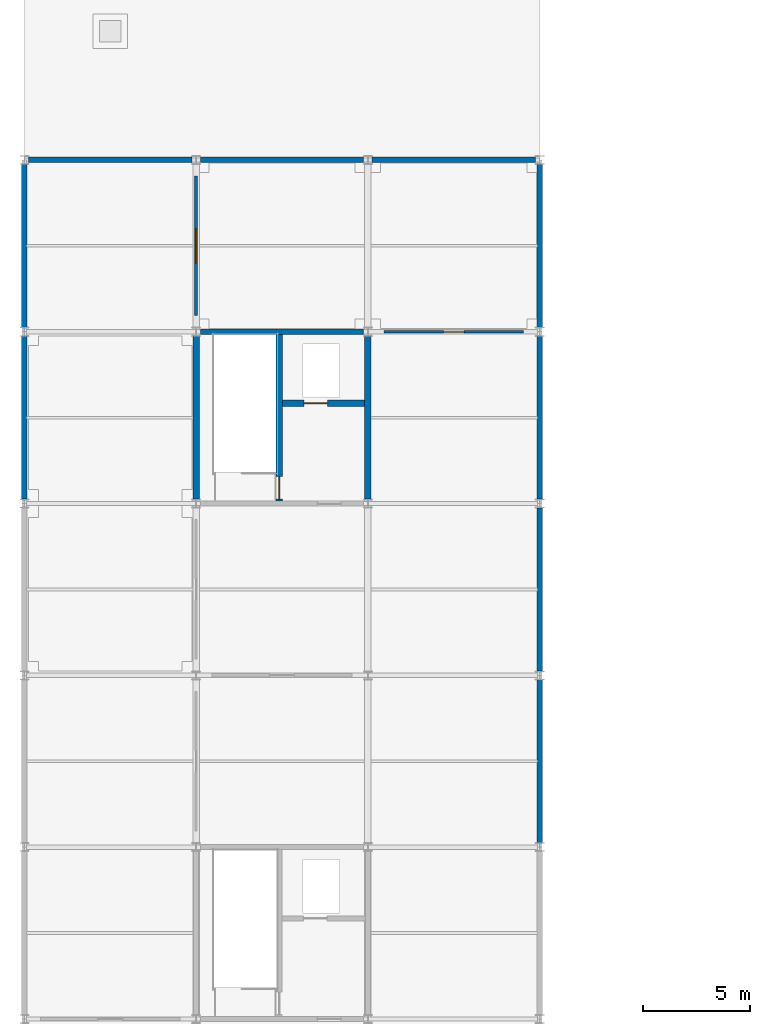
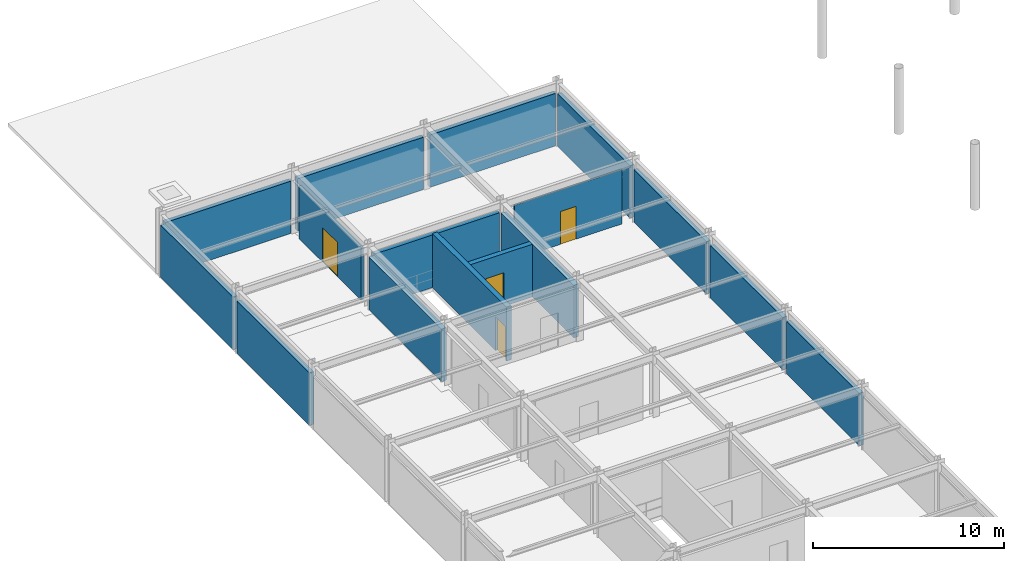
# One storey, part 35 of 41: 16 walls, 4 doors, 4 openings.
"""IFC4 building model written with IfcOpenShell, lengths in metres."""

from ifc_helpers import new_model, si_unit, direction, frame, frame_2d, origin, place, context, subcontext, project, spatial, rectangle, extrude, material, layer, layer_set, type_object, element, fill, save


model = new_model("IFC4")

# Units and contexts
model_context = context("Model", 3, precision=1e-05, world=origin(), true_north=direction((0.0, 1.0)))
body_context = subcontext(model_context, "Body", "Model", "MODEL_VIEW")
ifc_project = project(units=[si_unit("LENGTHUNIT", "METRE"), si_unit("AREAUNIT", "SQUARE_METRE"), si_unit("VOLUMEUNIT", "CUBIC_METRE"), si_unit("PLANEANGLEUNIT", "RADIAN"), si_unit("MASSUNIT", "GRAM", prefix="KILO")], contexts=[model_context])

# Site, building, storey
site_placement = place(None, origin())
site = spatial("IfcSite", under=ifc_project, at=site_placement, CompositionType="ELEMENT")
building_placement = place(site_placement, origin())
building = spatial("IfcBuilding", under=site, at=building_placement, Name="Haebicheon Civic Stadium", CompositionType="ELEMENT")
storey_placement = place(building_placement, frame((0.0, 0.0, 27.0)))
storey = spatial("IfcBuildingStorey", under=building, at=storey_placement, Name="L07", CompositionType="ELEMENT", Elevation=27.0)

# Walls
ifc_material_1 = material(Name="Concrete C40/50", Category="concrete")
ifc_layer_1 = layer(ifc_material_1, 0.239990234375, Name="Concrete C40/50")
ifc_layer_set_1 = layer_set([ifc_layer_1], Name="Concrete C40/50")
wall_type_1 = type_object("IfcWallType", Name="CW-SHR-240", PredefinedType="SHEAR", material=ifc_layer_set_1)
wall_1_placement = place(storey_placement, frame((32.199951171875, 112.0, 0.0), z_axis=(0.0, 0.0, 1.0), x_axis=(1.0, 0.0, 0.0)))
element("IfcWall", 1, at=wall_1_placement, inside=storey, type_object=wall_type_1, material=ifc_layer_set_1, Name="KC-04 L07 north core shear wall", PredefinedType="SHEAR", context=body_context, shape_type="SweptSolid", body=[
    extrude(rectangle(XDim=7.60009765625, YDim=0.239990234375, at=frame_2d((3.800048828125, 0.0))), origin(), (0.0, 0.0, 1.0), 3.3701171875),
])
ifc_material_2 = material(Name="Concrete C40/50", Category="concrete")
ifc_layer_2 = layer(ifc_material_2, 0.300048828125, Name="Concrete C40/50")
ifc_layer_set_2 = layer_set([ifc_layer_2], Name="Concrete C40/50")
wall_type_2 = type_object("IfcWallType", Name="CW-SHR-300", PredefinedType="SHEAR", material=ifc_layer_set_2)
for number, where, z_axis, x_axis, name in (
    (2, (32.0, 104.199951171875, 0.0), (0.0, 0.0, 1.0), (0.0, 1.0, 0.0), "KC-04 L07 west core shear wall"),
    (3, (40.0, 104.199951171875, 0.0), (0.0, 0.0, 1.0), (0.0, 1.0, 0.0), "KC-04 L07 east core shear wall"),
):
    element("IfcWall", number, at=place(storey_placement, frame(where, z_axis=z_axis, x_axis=x_axis)), inside=storey, type_object=wall_type_2, material=ifc_layer_set_2, Name=name, PredefinedType="SHEAR", context=body_context, shape_type="SweptSolid", body=[
        extrude(rectangle(XDim=7.60009765625, YDim=0.300048828125, at=frame_2d((3.800048828125, 0.0))), origin(), (0.0, 0.0, 1.0), 3.3701171875),
    ])

# Wall, opening, door
wall_2_placement = place(storey_placement, frame((35.8798828125, 104.1201171875, 0.0), z_axis=(0.0, 0.0, 1.0), x_axis=(0.0, 1.0, 0.0)))
wall_2 = element("IfcWall", 4, at=wall_2_placement, inside=storey, type_object=wall_type_2, material=ifc_layer_set_2, Name="KC-04 L07 stair-lobby dividing shear wall", PredefinedType="SHEAR", context=body_context, shape_type="SweptSolid", body=[
    extrude(rectangle(XDim=7.759765625, YDim=0.300048828125, at=frame_2d((3.8798828125, 0.0))), origin(), (0.0, 0.0, 1.0), 3.469970703125),
])
opening_1_placement = place(wall_2_placement, frame((0.080078125, 0.0, 0.0)))
opening_1 = element("IfcOpeningElement", 5, at=opening_1_placement, cuts=wall_2, Name="Opening D-L07-KC-04-STR", PredefinedType="OPENING", context=body_context, shape_type="SweptSolid", body=[
    extrude(rectangle(XDim=1.050048828125, YDim=2.14990234375, at=frame_2d((0.52490234375, 1.074951171875))), frame((0.0, 0.159912109375, 0.0), z_axis=(0.0, -1.0, 0.0), x_axis=(1.0, 0.0, 0.0)), (0.0, 0.0, 1.0), 0.320068359375),
])
ifc_material_3 = material(Name="Galvanised painted steel SM355", Category="steel")
door_type_1 = type_object("IfcDoorType", Name="ID-FD-1050", OperationType="NOTDEFINED", PredefinedType="DOOR", material=ifc_material_3)
door_1_placement = place(opening_1_placement, origin())
door_1 = element("IfcDoor", 6, at=door_1_placement, inside=storey, type_object=door_type_1, material=ifc_material_3, Name="L07 ST-04 stairwell escape door", OperationType="SINGLE_SWING_LEFT", OverallHeight=2.14990234375, OverallWidth=1.050048828125, PredefinedType="DOOR", context=body_context, shape_type="SweptSolid", body=[
    extrude(rectangle(XDim=1.050048828125, YDim=2.14990234375, at=frame_2d((0.52490234375, 1.074951171875))), frame((0.0, 0.02490234375, 0.0), z_axis=(0.0, -1.0, 0.0), x_axis=(1.0, 0.0, 0.0)), (0.0, 0.0, 1.0), 0.050048828125),
])
fill(opening_1, door_1)

wall_3_placement = place(storey_placement, frame((36.030029296875, 108.679931640625, 0.0), z_axis=(0.0, 0.0, 1.0), x_axis=(1.0, 0.0, 0.0)))
wall_3 = element("IfcWall", 7, at=wall_3_placement, inside=storey, type_object=wall_type_2, material=ifc_layer_set_2, Name="KC-04 L07 lift shaft front wall", PredefinedType="SHEAR", context=body_context, shape_type="SweptSolid", body=[
    extrude(rectangle(XDim=3.820068359375, YDim=0.300048828125, at=frame_2d((1.91015625, 0.0))), origin(), (0.0, 0.0, 1.0), 3.3701171875),
])
opening_2_placement = place(wall_3_placement, frame((1.0, 0.0, 0.0)))
opening_2 = element("IfcOpeningElement", 8, at=opening_2_placement, cuts=wall_3, Name="Opening LD-04-L07", PredefinedType="OPENING", context=body_context, shape_type="SweptSolid", body=[
    extrude(rectangle(XDim=1.10009765625, YDim=2.14990234375, at=frame_2d((0.550048828125, 1.074951171875))), frame((0.0, 0.159912109375, 0.0), z_axis=(0.0, -1.0, 0.0), x_axis=(1.0, 0.0, 0.0)), (0.0, 0.0, 1.0), 0.320068359375),
])
ifc_material_4 = material(Name="Stainless steel 316", Category="steel")
door_type_2 = type_object("IfcDoorType", Name="ID-LD-1100", OperationType="NOTDEFINED", PredefinedType="DOOR", material=ifc_material_4)
door_2_placement = place(opening_2_placement, origin())
door_2 = element("IfcDoor", 9, at=door_2_placement, inside=storey, type_object=door_type_2, material=ifc_material_4, Name="LF-04 lift landing sliding door L07", OperationType="SLIDING_TO_LEFT", OverallHeight=2.14990234375, OverallWidth=1.10009765625, PredefinedType="DOOR", context=body_context, shape_type="SweptSolid", body=[
    extrude(rectangle(XDim=1.10009765625, YDim=2.14990234375, at=frame_2d((0.550048828125, 1.074951171875))), frame((0.0, 0.02490234375, 0.0), z_axis=(0.0, -1.0, 0.0), x_axis=(1.0, 0.0, 0.0)), (0.0, 0.0, 1.0), 0.050048828125),
])
fill(opening_2, door_2)

# Walls
ifc_material_5 = material(Name="Precast concrete C40/50", Category="concrete")
ifc_layer_3 = layer(ifc_material_5, 0.260009765625, Name="Precast concrete C40/50")
ifc_layer_set_3 = layer_set([ifc_layer_3], Name="Precast concrete C40/50")
wall_type_3 = type_object("IfcWallType", Name="EW-BM-260", PredefinedType="SOLIDWALL", material=ifc_layer_set_3)
for number, where, z_axis, x_axis, name in (
    (10, (24.0, 104.199951171875, 0.0), (0.0, 0.0, 1.0), (0.0, 1.0, 0.0), "L07 board-marked concrete facade wall 03-13-W"),
    (11, (24.199951171875, 120.0, 0.0), (0.0, 0.0, 1.0), (1.0, 0.0, 0.0), "L07 board-marked concrete facade wall 03-15-N"),
    (12, (24.0, 112.199951171875, 0.0), (0.0, 0.0, 1.0), (0.0, 1.0, 0.0), "L07 board-marked concrete facade wall 03-14-W"),
    (13, (32.199951171875, 120.0, 0.0), (0.0, 0.0, 1.0), (1.0, 0.0, 0.0), "L07 board-marked concrete facade wall 04-15-N"),
    (14, (48.0, 88.199951171875, 0.0), (0.0, 0.0, 1.0), (0.0, 1.0, 0.0), "L07 board-marked concrete facade wall 06-11-E"),
    (15, (48.0, 96.199951171875, 0.0), (0.0, 0.0, 1.0), (0.0, 1.0, 0.0), "L07 board-marked concrete facade wall 06-12-E"),
    (16, (48.0, 104.199951171875, 0.0), (0.0, 0.0, 1.0), (0.0, 1.0, 0.0), "L07 board-marked concrete facade wall 06-13-E"),
    (17, (40.199951171875, 120.0, 0.0), (0.0, 0.0, 1.0), (1.0, 0.0, 0.0), "L07 board-marked concrete facade wall 05-15-N"),
    (18, (48.0, 112.199951171875, 0.0), (0.0, 0.0, 1.0), (0.0, 1.0, 0.0), "L07 board-marked concrete facade wall 06-14-E"),
):
    element("IfcWall", number, at=place(storey_placement, frame(where, z_axis=z_axis, x_axis=x_axis)), inside=storey, type_object=wall_type_3, material=ifc_layer_set_3, Name=name, PredefinedType="SOLIDWALL", context=body_context, shape_type="SweptSolid", body=[
        extrude(rectangle(XDim=7.60009765625, YDim=0.260009765625, at=frame_2d((3.800048828125, 0.0))), origin(), (0.0, 0.0, 1.0), 3.35009765625),
    ])

# Wall, opening, door
ifc_material_6 = material(Name="Anodised aluminium and laminated glass", Category="aluminium")
ifc_layer_4 = layer(ifc_material_6, 0.10009765625, Name="Anodised aluminium and laminated glass")
ifc_layer_set_4 = layer_set([ifc_layer_4], Name="Anodised aluminium and laminated glass")
wall_type_4 = type_object("IfcWallType", Name="IW-PRT-100", PredefinedType="PARTITIONING", material=ifc_layer_set_4)
wall_4_placement = place(storey_placement, frame((40.75, 112.0, 0.0), z_axis=(0.0, 0.0, 1.0), x_axis=(1.0, 0.0, 0.0)))
wall_4 = element("IfcWall", 19, at=wall_4_placement, inside=storey, type_object=wall_type_4, material=ifc_layer_set_4, Name="L07 Radio Commentary Booth partition wall", PredefinedType="PARTITIONING", context=body_context, shape_type="SweptSolid", body=[
    extrude(rectangle(XDim=6.5, YDim=0.10009765625, at=frame_2d((3.25, 0.0))), origin(), (0.0, 0.0, 1.0), 3.469970703125),
])
opening_3_placement = place(wall_4_placement, frame((2.77490234375, 0.0, 0.0)))
opening_3 = element("IfcOpeningElement", 20, at=opening_3_placement, cuts=wall_4, Name="Opening D-L07-475", PredefinedType="OPENING", context=body_context, shape_type="SweptSolid", body=[
    extrude(rectangle(XDim=0.949951171875, YDim=2.10009765625, at=frame_2d((0.47509765625, 1.050048828125))), frame((0.0, 0.06005859375, 0.0), z_axis=(0.0, -1.0, 0.0), x_axis=(1.0, 0.0, 0.0)), (0.0, 0.0, 1.0), 0.1201171875),
])
ifc_material_7 = material(Name="Engineered hardwood timber", Category="wood")
door_type_3 = type_object("IfcDoorType", Name="ID-RM-0950", OperationType="NOTDEFINED", PredefinedType="DOOR", material=ifc_material_7)
door_3_placement = place(opening_3_placement, origin())
door_3 = element("IfcDoor", 21, at=door_3_placement, inside=storey, type_object=door_type_3, material=ifc_material_7, Name="L07 Radio Commentary Booth entrance door D-L07-475", OperationType="SINGLE_SWING_LEFT", OverallHeight=2.10009765625, OverallWidth=0.949951171875, PredefinedType="DOOR", context=body_context, shape_type="SweptSolid", body=[
    extrude(rectangle(XDim=0.949951171875, YDim=2.10009765625, at=frame_2d((0.47509765625, 1.050048828125))), frame((0.0, 0.02490234375, 0.0), z_axis=(0.0, -1.0, 0.0), x_axis=(1.0, 0.0, 0.0)), (0.0, 0.0, 1.0), 0.050048828125),
])
fill(opening_3, door_3)

ifc_material_8 = material(Name="Gypsum plasterboard on steel studs", Category="gypsum")
ifc_layer_5 = layer(ifc_material_8, 0.14990234375, Name="Gypsum plasterboard on steel studs")
ifc_layer_set_5 = layer_set([ifc_layer_5], Name="Gypsum plasterboard on steel studs")
wall_type_5 = type_object("IfcWallType", Name="IW-PRT-150", PredefinedType="PARTITIONING", material=ifc_layer_set_5)
wall_5_placement = place(storey_placement, frame((32.0, 112.75, 0.0), z_axis=(0.0, 0.0, 1.0), x_axis=(0.0, 1.0, 0.0)))
wall_5 = element("IfcWall", 22, at=wall_5_placement, inside=storey, type_object=wall_type_5, material=ifc_layer_set_5, Name="L07 Press Dining Lounge partition wall", PredefinedType="PARTITIONING", context=body_context, shape_type="SweptSolid", body=[
    extrude(rectangle(XDim=6.5, YDim=0.14990234375, at=frame_2d((3.25, 0.0))), origin(), (0.0, 0.0, 1.0), 3.3701171875),
])
opening_4_placement = place(wall_5_placement, frame((2.449951171875, 0.0, 0.0)))
opening_4 = element("IfcOpeningElement", 23, at=opening_4_placement, cuts=wall_5, Name="Opening D-L07-470", PredefinedType="OPENING", context=body_context, shape_type="SweptSolid", body=[
    extrude(rectangle(XDim=1.60009765625, YDim=2.199951171875, at=frame_2d((0.800048828125, 1.10009765625))), frame((0.0, 0.0849609375, 0.0), z_axis=(0.0, -1.0, 0.0), x_axis=(1.0, 0.0, 0.0)), (0.0, 0.0, 1.0), 0.169921875),
])
ifc_material_9 = material(Name="Anodised aluminium and laminated glass", Category="aluminium")
door_type_4 = type_object("IfcDoorType", Name="ID-DBL-1600", OperationType="NOTDEFINED", PredefinedType="DOOR", material=ifc_material_9)
door_4_placement = place(opening_4_placement, origin())
door_4 = element("IfcDoor", 24, at=door_4_placement, inside=storey, type_object=door_type_4, material=ifc_material_9, Name="L07 Press Dining Lounge entrance door D-L07-470", OperationType="DOUBLE_SWING_LEFT", OverallHeight=2.199951171875, OverallWidth=1.60009765625, PredefinedType="DOOR", context=body_context, shape_type="SweptSolid", body=[
    extrude(rectangle(XDim=1.60009765625, YDim=2.199951171875, at=frame_2d((0.800048828125, 1.10009765625))), frame((0.0, 0.02490234375, 0.0), z_axis=(0.0, -1.0, 0.0), x_axis=(1.0, 0.0, 0.0)), (0.0, 0.0, 1.0), 0.050048828125),
])
fill(opening_4, door_4)

save(model, "model.ifc")
